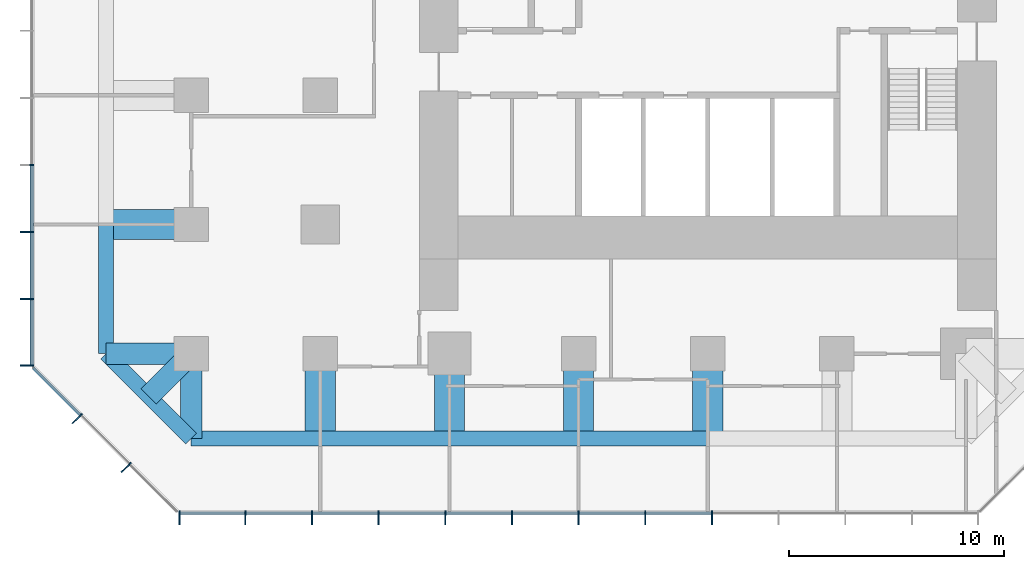
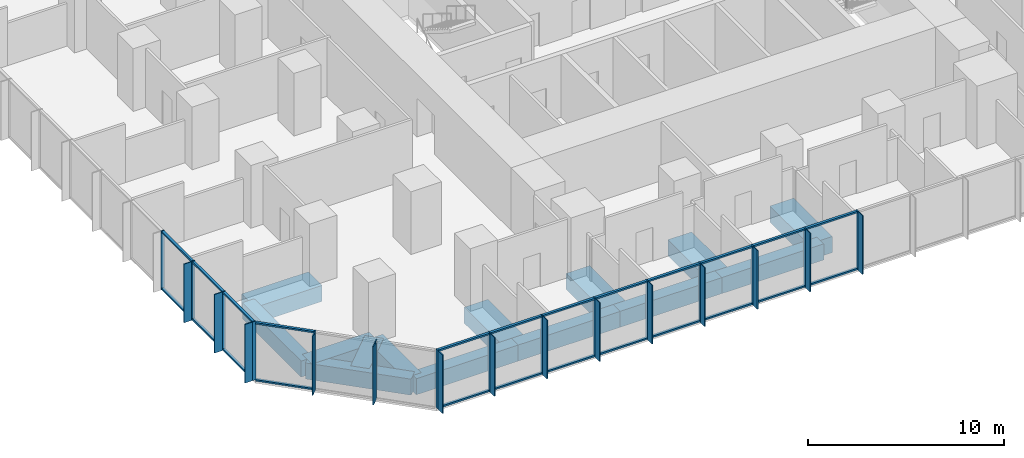
# One storey, part 2 of 13: 53 members, 14 beams, 3 elements without a shape of their own.
"""IFC4 building model written with IfcOpenShell, lengths in metres."""

from ifc_helpers import new_model, si_unit, direction, frame, origin, origin_2d, place, context, subcontext, project, spatial, rectangle, extrude, material, layer, layer_set, material_profile, profile_set, type_object, element, aggregate, save


model = new_model("IFC4")

# Units and contexts
model_context = context("Model", 3, precision=1e-05, world=origin(), true_north=direction((0.0, 1.0)))
body_context = subcontext(model_context, "Body", "Model", "MODEL_VIEW")
ifc_project = project(units=[si_unit("LENGTHUNIT", "METRE"), si_unit("AREAUNIT", "SQUARE_METRE"), si_unit("VOLUMEUNIT", "CUBIC_METRE"), si_unit("PLANEANGLEUNIT", "RADIAN"), si_unit("MASSUNIT", "GRAM", prefix="KILO")], contexts=[model_context])

# Site, building, storey
site_placement = place(None, origin())
site = spatial("IfcSite", under=ifc_project, at=site_placement, CompositionType="ELEMENT")
building_placement = place(site_placement, origin())
building = spatial("IfcBuilding", under=site, at=building_placement, Name="Highveld Stack Headquarters", CompositionType="ELEMENT")
storey_placement = place(building_placement, frame((0.0, 0.0, 136.699951171875)))
storey = spatial("IfcBuildingStorey", under=building, at=storey_placement, Name="L33", CompositionType="ELEMENT", Elevation=136.699951171875)

# Beams
ifc_material_1 = material(Name="Concrete C60/75", Category="concrete")
ifc_material_profile_1 = material_profile(ifc_material_1, rectangle(XDim=1.0, YDim=1.0, at=origin_2d()), Name="RC 1000x1000")
ifc_profile_set_1 = profile_set([ifc_material_profile_1], Name="Concrete C60/75")
beam_type_1 = type_object("IfcBeamType", Name="CANTILEVER RIB RC 1000x1000", PredefinedType="USERDEFINED", material=ifc_profile_set_1)
for number, where, z_axis, x_axis, name in (
    (1, (-18.0, -12.0, -0.75), (-1.0, 0.0, 0.0), (0.0, -1.0, 0.0), "Cantilever rib 3/C L33"),
    (2, (-18.0, -12.0, -0.75), (0.0, -1.0, 0.0), (1.0, 0.0, 0.0), "Cantilever rib 3/C L33"),
):
    element("IfcBeam", number, at=place(storey_placement, frame(where, z_axis=z_axis, x_axis=x_axis)), inside=storey, type_object=beam_type_1, Name=name, ObjectType="CANTILEVER RIB", PredefinedType="USERDEFINED", context=body_context, shape_type="SweptSolid", body=[
        extrude(rectangle(XDim=1.0, YDim=1.0, at=origin_2d()), origin(), (0.0, 0.0, 1.0), 3.949951171875),
    ])
beam_1_placement = place(storey_placement, frame((-18.0, -12.0, -0.75), z_axis=(-0.707106781187, -0.707106781187, 0.0), x_axis=(0.707106781187, -0.707106781187, 0.0)))
element("IfcBeam", 3, at=beam_1_placement, inside=storey, type_object=beam_type_1, Name="Cantilever rib 3/C L33", ObjectType="CANTILEVER RIB", PredefinedType="USERDEFINED", context=body_context, shape_type="SweptSolid", body=[
    extrude(rectangle(XDim=1.0, YDim=1.0, at=origin_2d()), origin(), (0.0, 0.0, 1.0), 2.793212890625),
])
ifc_material_2 = material(Name="Concrete C60/75", Category="concrete")
ifc_material_profile_2 = material_profile(ifc_material_2, rectangle(XDim=1.39990234375, YDim=1.0, at=origin_2d()), Name="RC 1400x1000")
ifc_profile_set_2 = profile_set([ifc_material_profile_2], Name="Concrete C60/75")
beam_type_2 = type_object("IfcBeamType", Name="CANTILEVER RIB RC 1400x1000", PredefinedType="USERDEFINED", material=ifc_profile_set_2)
for number, where, z_axis, x_axis, name in (
    (4, (-18.0, -6.0, -0.75), (-1.0, 0.0, 0.0), (0.0, -1.0, 0.0), "Cantilever rib 3/D L33"),
    (5, (-12.0, -12.0, -0.75), (0.0, -1.0, 0.0), (1.0, 0.0, 0.0), "Cantilever rib 4/C L33"),
    (6, (-6.0, -12.0, -0.75), (0.0, -1.0, 0.0), (1.0, 0.0, 0.0), "Cantilever rib 5/C L33"),
    (7, (0.0, -12.0, -0.75), (0.0, -1.0, 0.0), (1.0, 0.0, 0.0), "Cantilever rib 6/C L33"),
    (8, (6.0, -12.0, -0.75), (0.0, -1.0, 0.0), (1.0, 0.0, 0.0), "Cantilever rib 7/C L33"),
):
    element("IfcBeam", number, at=place(storey_placement, frame(where, z_axis=z_axis, x_axis=x_axis)), inside=storey, type_object=beam_type_2, Name=name, ObjectType="CANTILEVER RIB", PredefinedType="USERDEFINED", context=body_context, shape_type="SweptSolid", body=[
        extrude(rectangle(XDim=1.39990234375, YDim=1.0, at=origin_2d()), origin(), (0.0, 0.0, 1.0), 3.949951171875),
    ])

# Curtain wall, members
ifc_material_3 = material(Name="Aluminium bronze anodised", Category="aluminium")
ifc_layer_1 = layer(ifc_material_3, 0.199951171875)
ifc_layer_set_1 = layer_set([ifc_layer_1], Name="Aluminium bronze anodised")
curtain_wall_type_1 = type_object("IfcCurtainWallType", Name="CW1 TOWER UNITISED CURTAIN WALL", PredefinedType="NOTDEFINED", material=ifc_layer_set_1)
curtain_wall_1_placement = place(storey_placement, origin())
curtain_wall_1 = element("IfcCurtainWall", 9, at=curtain_wall_1_placement, inside=storey, type_object=curtain_wall_type_1, Name="Curtain wall CW1 L33 S", PredefinedType="NOTDEFINED")
ifc_material_4 = material(Name="Aluminium bronze anodised", Category="aluminium")
ifc_material_profile_3 = material_profile(ifc_material_4, rectangle(XDim=0.449951171875, YDim=0.06005859375, at=origin_2d()), Name="FIN 450x60")
ifc_profile_set_3 = profile_set([ifc_material_profile_3], Name="Aluminium bronze anodised")
member_type_1 = type_object("IfcMemberType", Name="CW1 BRONZE FIN 450x60", PredefinedType="USERDEFINED", material=ifc_profile_set_3)
member_1_placement = place(storey_placement, frame((-18.54736328125, -19.72509765625, 0.0), z_axis=(0.0, 0.0, 1.0), x_axis=(0.0, 1.0, 0.0)))
member_1 = element("IfcMember", 10, at=member_1_placement, type_object=member_type_1, Name="CW1 fin L33 1", ObjectType="FIN", PredefinedType="USERDEFINED", context=body_context, shape_type="SweptSolid", body=[
    extrude(rectangle(XDim=0.449951171875, YDim=0.06005859375, at=origin_2d()), origin(), (0.0, 0.0, 1.0), 3.650146484375),
])
member_2_placement = place(storey_placement, frame((-15.483154296875, -19.72509765625, 0.0), z_axis=(0.0, 0.0, 1.0), x_axis=(0.0, 1.0, 0.0)))
member_2 = element("IfcMember", 11, at=member_2_placement, type_object=member_type_1, Name="CW1 fin L33 2", ObjectType="FIN", PredefinedType="USERDEFINED", context=body_context, shape_type="SweptSolid", body=[
    extrude(rectangle(XDim=0.449951171875, YDim=0.06005859375, at=origin_2d()), origin(), (0.0, 0.0, 1.0), 3.650146484375),
])
member_3_placement = place(storey_placement, frame((-12.38671875, -19.72509765625, 0.0), z_axis=(0.0, 0.0, 1.0), x_axis=(0.0, 1.0, 0.0)))
member_3 = element("IfcMember", 12, at=member_3_placement, type_object=member_type_1, Name="CW1 fin L33 3", ObjectType="FIN", PredefinedType="USERDEFINED", context=body_context, shape_type="SweptSolid", body=[
    extrude(rectangle(XDim=0.449951171875, YDim=0.06005859375, at=origin_2d()), origin(), (0.0, 0.0, 1.0), 3.650146484375),
])
member_4_placement = place(storey_placement, frame((-9.289794921875, -19.72509765625, 0.0), z_axis=(0.0, 0.0, 1.0), x_axis=(0.0, 1.0, 0.0)))
member_4 = element("IfcMember", 13, at=member_4_placement, type_object=member_type_1, Name="CW1 fin L33 4", ObjectType="FIN", PredefinedType="USERDEFINED", context=body_context, shape_type="SweptSolid", body=[
    extrude(rectangle(XDim=0.449951171875, YDim=0.06005859375, at=origin_2d()), origin(), (0.0, 0.0, 1.0), 3.650146484375),
])
member_5_placement = place(storey_placement, frame((-6.193359375, -19.72509765625, 0.0), z_axis=(0.0, 0.0, 1.0), x_axis=(0.0, 1.0, 0.0)))
member_5 = element("IfcMember", 14, at=member_5_placement, type_object=member_type_1, Name="CW1 fin L33 5", ObjectType="FIN", PredefinedType="USERDEFINED", context=body_context, shape_type="SweptSolid", body=[
    extrude(rectangle(XDim=0.449951171875, YDim=0.06005859375, at=origin_2d()), origin(), (0.0, 0.0, 1.0), 3.650146484375),
])
member_6_placement = place(storey_placement, frame((-3.0966796875, -19.72509765625, 0.0), z_axis=(0.0, 0.0, 1.0), x_axis=(0.0, 1.0, 0.0)))
member_6 = element("IfcMember", 15, at=member_6_placement, type_object=member_type_1, Name="CW1 fin L33 6", ObjectType="FIN", PredefinedType="USERDEFINED", context=body_context, shape_type="SweptSolid", body=[
    extrude(rectangle(XDim=0.449951171875, YDim=0.06005859375, at=origin_2d()), origin(), (0.0, 0.0, 1.0), 3.650146484375),
])
member_7_placement = place(storey_placement, frame((0.0, -19.72509765625, 0.0), z_axis=(0.0, 0.0, 1.0), x_axis=(0.0, 1.0, 0.0)))
member_7 = element("IfcMember", 16, at=member_7_placement, type_object=member_type_1, Name="CW1 fin L33 7", ObjectType="FIN", PredefinedType="USERDEFINED", context=body_context, shape_type="SweptSolid", body=[
    extrude(rectangle(XDim=0.449951171875, YDim=0.06005859375, at=origin_2d()), origin(), (0.0, 0.0, 1.0), 3.650146484375),
])
member_8_placement = place(storey_placement, frame((3.0966796875, -19.72509765625, 0.0), z_axis=(0.0, 0.0, 1.0), x_axis=(0.0, 1.0, 0.0)))
member_8 = element("IfcMember", 17, at=member_8_placement, type_object=member_type_1, Name="CW1 fin L33 8", ObjectType="FIN", PredefinedType="USERDEFINED", context=body_context, shape_type="SweptSolid", body=[
    extrude(rectangle(XDim=0.449951171875, YDim=0.06005859375, at=origin_2d()), origin(), (0.0, 0.0, 1.0), 3.650146484375),
])
member_9_placement = place(storey_placement, frame((6.193359375, -19.72509765625, 0.0), z_axis=(0.0, 0.0, 1.0), x_axis=(0.0, 1.0, 0.0)))
member_9 = element("IfcMember", 18, at=member_9_placement, type_object=member_type_1, Name="CW1 fin L33 9", ObjectType="FIN", PredefinedType="USERDEFINED", context=body_context, shape_type="SweptSolid", body=[
    extrude(rectangle(XDim=0.449951171875, YDim=0.06005859375, at=origin_2d()), origin(), (0.0, 0.0, 1.0), 3.650146484375),
])

curtain_wall_2_placement = place(storey_placement, origin())
curtain_wall_2 = element("IfcCurtainWall", 19, at=curtain_wall_2_placement, inside=storey, type_object=curtain_wall_type_1, Name="Curtain wall CW1 L33 W", PredefinedType="NOTDEFINED")
member_10_placement = place(storey_placement, frame((-25.72509765625, -6.347900390625, 0.0), z_axis=(0.0, 0.0, 1.0), x_axis=(1.0, 0.0, 0.0)))
member_10 = element("IfcMember", 20, at=member_10_placement, type_object=member_type_1, Name="CW1 fin L33 9", ObjectType="FIN", PredefinedType="USERDEFINED", context=body_context, shape_type="SweptSolid", body=[
    extrude(rectangle(XDim=0.449951171875, YDim=0.06005859375, at=origin_2d()), origin(), (0.0, 0.0, 1.0), 3.650146484375),
])
member_11_placement = place(storey_placement, frame((-25.72509765625, -9.4638671875, 0.0), z_axis=(0.0, 0.0, 1.0), x_axis=(1.0, 0.0, 0.0)))
member_11 = element("IfcMember", 21, at=member_11_placement, type_object=member_type_1, Name="CW1 fin L33 10", ObjectType="FIN", PredefinedType="USERDEFINED", context=body_context, shape_type="SweptSolid", body=[
    extrude(rectangle(XDim=0.449951171875, YDim=0.06005859375, at=origin_2d()), origin(), (0.0, 0.0, 1.0), 3.650146484375),
])
member_12_placement = place(storey_placement, frame((-25.72509765625, -12.54736328125, 0.0), z_axis=(0.0, 0.0, 1.0), x_axis=(1.0, 0.0, 0.0)))
member_12 = element("IfcMember", 22, at=member_12_placement, type_object=member_type_1, Name="CW1 fin L33 11", ObjectType="FIN", PredefinedType="USERDEFINED", context=body_context, shape_type="SweptSolid", body=[
    extrude(rectangle(XDim=0.449951171875, YDim=0.06005859375, at=origin_2d()), origin(), (0.0, 0.0, 1.0), 3.650146484375),
])

# Member
ifc_material_5 = material(Name="Aluminium bronze anodised", Category="aluminium")
ifc_material_profile_4 = material_profile(ifc_material_5, rectangle(XDim=0.199951171875, YDim=0.06494140625, at=origin_2d()), Name="CW1 MULLION 65x200")
ifc_profile_set_4 = profile_set([ifc_material_profile_4], Name="Aluminium bronze anodised")
member_type_2 = type_object("IfcMemberType", Name="CW1 MULLION 65x200", PredefinedType="MULLION", material=ifc_profile_set_4)
member_13_placement = place(storey_placement, frame((-18.54736328125, -19.39990234375, 0.0), z_axis=(0.0, 0.0, 1.0), x_axis=(0.0, 1.0, 0.0)))
member_13 = element("IfcMember", 23, at=member_13_placement, type_object=member_type_2, Name="CW1 mullion L33 1", PredefinedType="MULLION", context=body_context, shape_type="SweptSolid", body=[
    extrude(rectangle(XDim=0.199951171875, YDim=0.06494140625, at=origin_2d()), origin(), (0.0, 0.0, 1.0), 3.650146484375),
])

member_14_placement = place(storey_placement, frame((-15.483154296875, -19.39990234375, 0.0), z_axis=(0.0, 0.0, 1.0), x_axis=(0.0, 1.0, 0.0)))
member_14 = element("IfcMember", 24, at=member_14_placement, type_object=member_type_2, Name="CW1 mullion L33 2", PredefinedType="MULLION", context=body_context, shape_type="SweptSolid", body=[
    extrude(rectangle(XDim=0.199951171875, YDim=0.06494140625, at=origin_2d()), origin(), (0.0, 0.0, 1.0), 3.650146484375),
])

member_15_placement = place(storey_placement, frame((-12.38671875, -19.39990234375, 0.0), z_axis=(0.0, 0.0, 1.0), x_axis=(0.0, 1.0, 0.0)))
member_15 = element("IfcMember", 25, at=member_15_placement, type_object=member_type_2, Name="CW1 mullion L33 3", PredefinedType="MULLION", context=body_context, shape_type="SweptSolid", body=[
    extrude(rectangle(XDim=0.199951171875, YDim=0.06494140625, at=origin_2d()), origin(), (0.0, 0.0, 1.0), 3.650146484375),
])

member_16_placement = place(storey_placement, frame((-9.289794921875, -19.39990234375, 0.0), z_axis=(0.0, 0.0, 1.0), x_axis=(0.0, 1.0, 0.0)))
member_16 = element("IfcMember", 26, at=member_16_placement, type_object=member_type_2, Name="CW1 mullion L33 4", PredefinedType="MULLION", context=body_context, shape_type="SweptSolid", body=[
    extrude(rectangle(XDim=0.199951171875, YDim=0.06494140625, at=origin_2d()), origin(), (0.0, 0.0, 1.0), 3.650146484375),
])

member_17_placement = place(storey_placement, frame((-6.193359375, -19.39990234375, 0.0), z_axis=(0.0, 0.0, 1.0), x_axis=(0.0, 1.0, 0.0)))
member_17 = element("IfcMember", 27, at=member_17_placement, type_object=member_type_2, Name="CW1 mullion L33 5", PredefinedType="MULLION", context=body_context, shape_type="SweptSolid", body=[
    extrude(rectangle(XDim=0.199951171875, YDim=0.06494140625, at=origin_2d()), origin(), (0.0, 0.0, 1.0), 3.650146484375),
])

member_18_placement = place(storey_placement, frame((-3.0966796875, -19.39990234375, 0.0), z_axis=(0.0, 0.0, 1.0), x_axis=(0.0, 1.0, 0.0)))
member_18 = element("IfcMember", 28, at=member_18_placement, type_object=member_type_2, Name="CW1 mullion L33 6", PredefinedType="MULLION", context=body_context, shape_type="SweptSolid", body=[
    extrude(rectangle(XDim=0.199951171875, YDim=0.06494140625, at=origin_2d()), origin(), (0.0, 0.0, 1.0), 3.650146484375),
])

member_19_placement = place(storey_placement, frame((0.0, -19.39990234375, 0.0), z_axis=(0.0, 0.0, 1.0), x_axis=(0.0, 1.0, 0.0)))
member_19 = element("IfcMember", 29, at=member_19_placement, type_object=member_type_2, Name="CW1 mullion L33 7", PredefinedType="MULLION", context=body_context, shape_type="SweptSolid", body=[
    extrude(rectangle(XDim=0.199951171875, YDim=0.06494140625, at=origin_2d()), origin(), (0.0, 0.0, 1.0), 3.650146484375),
])

member_20_placement = place(storey_placement, frame((3.0966796875, -19.39990234375, 0.0), z_axis=(0.0, 0.0, 1.0), x_axis=(0.0, 1.0, 0.0)))
member_20 = element("IfcMember", 30, at=member_20_placement, type_object=member_type_2, Name="CW1 mullion L33 8", PredefinedType="MULLION", context=body_context, shape_type="SweptSolid", body=[
    extrude(rectangle(XDim=0.199951171875, YDim=0.06494140625, at=origin_2d()), origin(), (0.0, 0.0, 1.0), 3.650146484375),
])

member_21_placement = place(storey_placement, frame((6.193359375, -19.39990234375, 0.0), z_axis=(0.0, 0.0, 1.0), x_axis=(0.0, 1.0, 0.0)))
member_21 = element("IfcMember", 31, at=member_21_placement, type_object=member_type_2, Name="CW1 mullion L33 9", PredefinedType="MULLION", context=body_context, shape_type="SweptSolid", body=[
    extrude(rectangle(XDim=0.199951171875, YDim=0.06494140625, at=origin_2d()), origin(), (0.0, 0.0, 1.0), 3.650146484375),
])

member_22_placement = place(storey_placement, frame((-25.39990234375, -3.23193359375, 0.0), z_axis=(0.0, 0.0, 1.0), x_axis=(1.0, 0.0, 0.0)))
member_22 = element("IfcMember", 32, at=member_22_placement, type_object=member_type_2, Name="CW1 mullion L33 8", PredefinedType="MULLION", context=body_context, shape_type="SweptSolid", body=[
    extrude(rectangle(XDim=0.199951171875, YDim=0.06494140625, at=origin_2d()), origin(), (0.0, 0.0, 1.0), 3.650146484375),
])

member_23_placement = place(storey_placement, frame((-25.39990234375, -6.347900390625, 0.0), z_axis=(0.0, 0.0, 1.0), x_axis=(1.0, 0.0, 0.0)))
member_23 = element("IfcMember", 33, at=member_23_placement, type_object=member_type_2, Name="CW1 mullion L33 9", PredefinedType="MULLION", context=body_context, shape_type="SweptSolid", body=[
    extrude(rectangle(XDim=0.199951171875, YDim=0.06494140625, at=origin_2d()), origin(), (0.0, 0.0, 1.0), 3.650146484375),
])

member_24_placement = place(storey_placement, frame((-25.39990234375, -9.4638671875, 0.0), z_axis=(0.0, 0.0, 1.0), x_axis=(1.0, 0.0, 0.0)))
member_24 = element("IfcMember", 34, at=member_24_placement, type_object=member_type_2, Name="CW1 mullion L33 10", PredefinedType="MULLION", context=body_context, shape_type="SweptSolid", body=[
    extrude(rectangle(XDim=0.199951171875, YDim=0.06494140625, at=origin_2d()), origin(), (0.0, 0.0, 1.0), 3.650146484375),
])

member_25_placement = place(storey_placement, frame((-25.39990234375, -12.54736328125, 0.0), z_axis=(0.0, 0.0, 1.0), x_axis=(1.0, 0.0, 0.0)))
member_25 = element("IfcMember", 35, at=member_25_placement, type_object=member_type_2, Name="CW1 mullion L33 11", PredefinedType="MULLION", context=body_context, shape_type="SweptSolid", body=[
    extrude(rectangle(XDim=0.199951171875, YDim=0.06494140625, at=origin_2d()), origin(), (0.0, 0.0, 1.0), 3.650146484375),
])

ifc_material_6 = material(Name="Aluminium bronze anodised", Category="aluminium")
ifc_material_profile_5 = material_profile(ifc_material_6, rectangle(XDim=0.14990234375, YDim=0.10009765625, at=origin_2d()), Name="CW1 TRANSOM 150x100")
ifc_profile_set_5 = profile_set([ifc_material_profile_5], Name="Aluminium bronze anodised")
member_type_3 = type_object("IfcMemberType", Name="CW1 STACK TRANSOM 150x100", PredefinedType="USERDEFINED", material=ifc_profile_set_5)
member_26_placement = place(storey_placement, frame((-18.514892578125, -19.39990234375, 0.050048828125), z_axis=(1.0, 0.0, 0.0), x_axis=(0.0, 1.0, 0.0)))
member_26 = element("IfcMember", 36, at=member_26_placement, type_object=member_type_3, Name="CW1 transom L33 1.1", ObjectType="TRANSOM", PredefinedType="USERDEFINED", context=body_context, shape_type="SweptSolid", body=[
    extrude(rectangle(XDim=0.14990234375, YDim=0.10009765625, at=origin_2d()), origin(), (0.0, 0.0, 1.0), 2.999267578125),
])

member_27_placement = place(storey_placement, frame((-18.514892578125, -19.39990234375, 3.60009765625), z_axis=(1.0, 0.0, 0.0), x_axis=(0.0, 1.0, 0.0)))
member_27 = element("IfcMember", 37, at=member_27_placement, type_object=member_type_3, Name="CW1 transom L33 1.2", ObjectType="TRANSOM", PredefinedType="USERDEFINED", context=body_context, shape_type="SweptSolid", body=[
    extrude(rectangle(XDim=0.14990234375, YDim=0.10009765625, at=origin_2d()), origin(), (0.0, 0.0, 1.0), 2.999267578125),
])

member_28_placement = place(storey_placement, frame((-15.45068359375, -19.39990234375, 0.050048828125), z_axis=(1.0, 0.0, 0.0), x_axis=(0.0, 1.0, 0.0)))
member_28 = element("IfcMember", 38, at=member_28_placement, type_object=member_type_3, Name="CW1 transom L33 2.1", ObjectType="TRANSOM", PredefinedType="USERDEFINED", context=body_context, shape_type="SweptSolid", body=[
    extrude(rectangle(XDim=0.14990234375, YDim=0.10009765625, at=origin_2d()), origin(), (0.0, 0.0, 1.0), 3.031494140625),
])

member_29_placement = place(storey_placement, frame((-15.45068359375, -19.39990234375, 3.60009765625), z_axis=(1.0, 0.0, 0.0), x_axis=(0.0, 1.0, 0.0)))
member_29 = element("IfcMember", 39, at=member_29_placement, type_object=member_type_3, Name="CW1 transom L33 2.2", ObjectType="TRANSOM", PredefinedType="USERDEFINED", context=body_context, shape_type="SweptSolid", body=[
    extrude(rectangle(XDim=0.14990234375, YDim=0.10009765625, at=origin_2d()), origin(), (0.0, 0.0, 1.0), 3.031494140625),
])

member_30_placement = place(storey_placement, frame((-12.35400390625, -19.39990234375, 0.050048828125), z_axis=(1.0, 0.0, 0.0), x_axis=(0.0, 1.0, 0.0)))
member_30 = element("IfcMember", 40, at=member_30_placement, type_object=member_type_3, Name="CW1 transom L33 3.1", ObjectType="TRANSOM", PredefinedType="USERDEFINED", context=body_context, shape_type="SweptSolid", body=[
    extrude(rectangle(XDim=0.14990234375, YDim=0.10009765625, at=origin_2d()), origin(), (0.0, 0.0, 1.0), 3.031494140625),
])

member_31_placement = place(storey_placement, frame((-12.35400390625, -19.39990234375, 3.60009765625), z_axis=(1.0, 0.0, 0.0), x_axis=(0.0, 1.0, 0.0)))
member_31 = element("IfcMember", 41, at=member_31_placement, type_object=member_type_3, Name="CW1 transom L33 3.2", ObjectType="TRANSOM", PredefinedType="USERDEFINED", context=body_context, shape_type="SweptSolid", body=[
    extrude(rectangle(XDim=0.14990234375, YDim=0.10009765625, at=origin_2d()), origin(), (0.0, 0.0, 1.0), 3.031494140625),
])

member_32_placement = place(storey_placement, frame((-9.25732421875, -19.39990234375, 0.050048828125), z_axis=(1.0, 0.0, 0.0), x_axis=(0.0, 1.0, 0.0)))
member_32 = element("IfcMember", 42, at=member_32_placement, type_object=member_type_3, Name="CW1 transom L33 4.1", ObjectType="TRANSOM", PredefinedType="USERDEFINED", context=body_context, shape_type="SweptSolid", body=[
    extrude(rectangle(XDim=0.14990234375, YDim=0.10009765625, at=origin_2d()), origin(), (0.0, 0.0, 1.0), 3.031494140625),
])

member_33_placement = place(storey_placement, frame((-9.25732421875, -19.39990234375, 3.60009765625), z_axis=(1.0, 0.0, 0.0), x_axis=(0.0, 1.0, 0.0)))
member_33 = element("IfcMember", 43, at=member_33_placement, type_object=member_type_3, Name="CW1 transom L33 4.2", ObjectType="TRANSOM", PredefinedType="USERDEFINED", context=body_context, shape_type="SweptSolid", body=[
    extrude(rectangle(XDim=0.14990234375, YDim=0.10009765625, at=origin_2d()), origin(), (0.0, 0.0, 1.0), 3.031494140625),
])

member_34_placement = place(storey_placement, frame((-6.160888671875, -19.39990234375, 0.050048828125), z_axis=(1.0, 0.0, 0.0), x_axis=(0.0, 1.0, 0.0)))
member_34 = element("IfcMember", 44, at=member_34_placement, type_object=member_type_3, Name="CW1 transom L33 5.1", ObjectType="TRANSOM", PredefinedType="USERDEFINED", context=body_context, shape_type="SweptSolid", body=[
    extrude(rectangle(XDim=0.14990234375, YDim=0.10009765625, at=origin_2d()), origin(), (0.0, 0.0, 1.0), 3.03173828125),
])

member_35_placement = place(storey_placement, frame((-6.160888671875, -19.39990234375, 3.60009765625), z_axis=(1.0, 0.0, 0.0), x_axis=(0.0, 1.0, 0.0)))
member_35 = element("IfcMember", 45, at=member_35_placement, type_object=member_type_3, Name="CW1 transom L33 5.2", ObjectType="TRANSOM", PredefinedType="USERDEFINED", context=body_context, shape_type="SweptSolid", body=[
    extrude(rectangle(XDim=0.14990234375, YDim=0.10009765625, at=origin_2d()), origin(), (0.0, 0.0, 1.0), 3.03173828125),
])

member_36_placement = place(storey_placement, frame((-3.064208984375, -19.39990234375, 0.050048828125), z_axis=(1.0, 0.0, 0.0), x_axis=(0.0, 1.0, 0.0)))
member_36 = element("IfcMember", 46, at=member_36_placement, type_object=member_type_3, Name="CW1 transom L33 6.1", ObjectType="TRANSOM", PredefinedType="USERDEFINED", context=body_context, shape_type="SweptSolid", body=[
    extrude(rectangle(XDim=0.14990234375, YDim=0.10009765625, at=origin_2d()), origin(), (0.0, 0.0, 1.0), 3.03173828125),
])

member_37_placement = place(storey_placement, frame((-3.064208984375, -19.39990234375, 3.60009765625), z_axis=(1.0, 0.0, 0.0), x_axis=(0.0, 1.0, 0.0)))
member_37 = element("IfcMember", 47, at=member_37_placement, type_object=member_type_3, Name="CW1 transom L33 6.2", ObjectType="TRANSOM", PredefinedType="USERDEFINED", context=body_context, shape_type="SweptSolid", body=[
    extrude(rectangle(XDim=0.14990234375, YDim=0.10009765625, at=origin_2d()), origin(), (0.0, 0.0, 1.0), 3.03173828125),
])

member_38_placement = place(storey_placement, frame((0.032470703125, -19.39990234375, 0.050048828125), z_axis=(1.0, 0.0, 0.0), x_axis=(0.0, 1.0, 0.0)))
member_38 = element("IfcMember", 48, at=member_38_placement, type_object=member_type_3, Name="CW1 transom L33 7.1", ObjectType="TRANSOM", PredefinedType="USERDEFINED", context=body_context, shape_type="SweptSolid", body=[
    extrude(rectangle(XDim=0.14990234375, YDim=0.10009765625, at=origin_2d()), origin(), (0.0, 0.0, 1.0), 3.03173828125),
])

member_39_placement = place(storey_placement, frame((0.032470703125, -19.39990234375, 3.60009765625), z_axis=(1.0, 0.0, 0.0), x_axis=(0.0, 1.0, 0.0)))
member_39 = element("IfcMember", 49, at=member_39_placement, type_object=member_type_3, Name="CW1 transom L33 7.2", ObjectType="TRANSOM", PredefinedType="USERDEFINED", context=body_context, shape_type="SweptSolid", body=[
    extrude(rectangle(XDim=0.14990234375, YDim=0.10009765625, at=origin_2d()), origin(), (0.0, 0.0, 1.0), 3.03173828125),
])

member_40_placement = place(storey_placement, frame((3.129150390625, -19.39990234375, 0.050048828125), z_axis=(1.0, 0.0, 0.0), x_axis=(0.0, 1.0, 0.0)))
member_40 = element("IfcMember", 50, at=member_40_placement, type_object=member_type_3, Name="CW1 transom L33 8.1", ObjectType="TRANSOM", PredefinedType="USERDEFINED", context=body_context, shape_type="SweptSolid", body=[
    extrude(rectangle(XDim=0.14990234375, YDim=0.10009765625, at=origin_2d()), origin(), (0.0, 0.0, 1.0), 3.03173828125),
])

member_41_placement = place(storey_placement, frame((3.129150390625, -19.39990234375, 3.60009765625), z_axis=(1.0, 0.0, 0.0), x_axis=(0.0, 1.0, 0.0)))
member_41 = element("IfcMember", 51, at=member_41_placement, type_object=member_type_3, Name="CW1 transom L33 8.2", ObjectType="TRANSOM", PredefinedType="USERDEFINED", context=body_context, shape_type="SweptSolid", body=[
    extrude(rectangle(XDim=0.14990234375, YDim=0.10009765625, at=origin_2d()), origin(), (0.0, 0.0, 1.0), 3.03173828125),
])

aggregate(curtain_wall_1, [member_13, member_1, member_14, member_2, member_15, member_3, member_16, member_4, member_17, member_5, member_18, member_6, member_19, member_7, member_20, member_8, member_21, member_9, member_26, member_27, member_28, member_29, member_30, member_31, member_32, member_33, member_34, member_35, member_36, member_37, member_38, member_39, member_40, member_41])

member_42_placement = place(storey_placement, frame((-25.39990234375, -3.264404296875, 0.050048828125), z_axis=(0.0, -1.0, 0.0), x_axis=(1.0, 0.0, 0.0)))
member_42 = element("IfcMember", 52, at=member_42_placement, type_object=member_type_3, Name="CW1 transom L33 8.1", ObjectType="TRANSOM", PredefinedType="USERDEFINED", context=body_context, shape_type="SweptSolid", body=[
    extrude(rectangle(XDim=0.14990234375, YDim=0.10009765625, at=origin_2d()), origin(), (0.0, 0.0, 1.0), 3.051025390625),
])

member_43_placement = place(storey_placement, frame((-25.39990234375, -3.264404296875, 3.60009765625), z_axis=(0.0, -1.0, 0.0), x_axis=(1.0, 0.0, 0.0)))
member_43 = element("IfcMember", 53, at=member_43_placement, type_object=member_type_3, Name="CW1 transom L33 8.2", ObjectType="TRANSOM", PredefinedType="USERDEFINED", context=body_context, shape_type="SweptSolid", body=[
    extrude(rectangle(XDim=0.14990234375, YDim=0.10009765625, at=origin_2d()), origin(), (0.0, 0.0, 1.0), 3.051025390625),
])

member_44_placement = place(storey_placement, frame((-25.39990234375, -6.38037109375, 0.050048828125), z_axis=(0.0, -1.0, 0.0), x_axis=(1.0, 0.0, 0.0)))
member_44 = element("IfcMember", 54, at=member_44_placement, type_object=member_type_3, Name="CW1 transom L33 9.1", ObjectType="TRANSOM", PredefinedType="USERDEFINED", context=body_context, shape_type="SweptSolid", body=[
    extrude(rectangle(XDim=0.14990234375, YDim=0.10009765625, at=origin_2d()), origin(), (0.0, 0.0, 1.0), 3.051025390625),
])

member_45_placement = place(storey_placement, frame((-25.39990234375, -6.38037109375, 3.60009765625), z_axis=(0.0, -1.0, 0.0), x_axis=(1.0, 0.0, 0.0)))
member_45 = element("IfcMember", 55, at=member_45_placement, type_object=member_type_3, Name="CW1 transom L33 9.2", ObjectType="TRANSOM", PredefinedType="USERDEFINED", context=body_context, shape_type="SweptSolid", body=[
    extrude(rectangle(XDim=0.14990234375, YDim=0.10009765625, at=origin_2d()), origin(), (0.0, 0.0, 1.0), 3.051025390625),
])

member_46_placement = place(storey_placement, frame((-25.39990234375, -9.496337890625, 0.050048828125), z_axis=(0.0, -1.0, 0.0), x_axis=(1.0, 0.0, 0.0)))
member_46 = element("IfcMember", 56, at=member_46_placement, type_object=member_type_3, Name="CW1 transom L33 10.1", ObjectType="TRANSOM", PredefinedType="USERDEFINED", context=body_context, shape_type="SweptSolid", body=[
    extrude(rectangle(XDim=0.14990234375, YDim=0.10009765625, at=origin_2d()), origin(), (0.0, 0.0, 1.0), 3.0185546875),
])

member_47_placement = place(storey_placement, frame((-25.39990234375, -9.496337890625, 3.60009765625), z_axis=(0.0, -1.0, 0.0), x_axis=(1.0, 0.0, 0.0)))
member_47 = element("IfcMember", 57, at=member_47_placement, type_object=member_type_3, Name="CW1 transom L33 10.2", ObjectType="TRANSOM", PredefinedType="USERDEFINED", context=body_context, shape_type="SweptSolid", body=[
    extrude(rectangle(XDim=0.14990234375, YDim=0.10009765625, at=origin_2d()), origin(), (0.0, 0.0, 1.0), 3.0185546875),
])

aggregate(curtain_wall_2, [member_22, member_23, member_10, member_24, member_11, member_25, member_12, member_42, member_43, member_44, member_45, member_46, member_47])

# Curtain wall, members
ifc_material_7 = material(Name="Aluminium bronze anodised", Category="aluminium")
ifc_layer_2 = layer(ifc_material_7, 0.199951171875)
ifc_layer_set_2 = layer_set([ifc_layer_2], Name="Aluminium bronze anodised")
curtain_wall_type_2 = type_object("IfcCurtainWallType", Name="CW2 TOWER CHAMFER UNITISED CURTAIN WALL", PredefinedType="NOTDEFINED", material=ifc_layer_set_2)
curtain_wall_3_placement = place(storey_placement, origin())
curtain_wall_3 = element("IfcCurtainWall", 58, at=curtain_wall_3_placement, inside=storey, type_object=curtain_wall_type_2, Name="Curtain wall CW2 L33 SW", PredefinedType="NOTDEFINED")
ifc_material_8 = material(Name="Aluminium bronze anodised", Category="aluminium")
ifc_material_profile_6 = material_profile(ifc_material_8, rectangle(XDim=0.449951171875, YDim=0.06005859375, at=origin_2d()), Name="FIN 450x60")
ifc_profile_set_6 = profile_set([ifc_material_profile_6], Name="Aluminium bronze anodised")
member_type_4 = type_object("IfcMemberType", Name="CW2 BRONZE FIN 450x60", PredefinedType="USERDEFINED", material=ifc_profile_set_6)
member_48_placement = place(storey_placement, frame((-23.3564453125, -15.0830078125, 0.0), z_axis=(0.0, 0.0, 1.0), x_axis=(0.707106781187, 0.707106781187, 0.0)))
member_48 = element("IfcMember", 59, at=member_48_placement, type_object=member_type_4, Name="CW2 fin L33 1", ObjectType="FIN", PredefinedType="USERDEFINED", context=body_context, shape_type="SweptSolid", body=[
    extrude(rectangle(XDim=0.449951171875, YDim=0.06005859375, at=origin_2d()), origin(), (0.0, 0.0, 1.0), 3.650146484375),
])
member_49_placement = place(storey_placement, frame((-21.0830078125, -17.3564453125, 0.0), z_axis=(0.0, 0.0, 1.0), x_axis=(0.707106781187, 0.707106781187, 0.0)))
member_49 = element("IfcMember", 60, at=member_49_placement, type_object=member_type_4, Name="CW2 fin L33 2", ObjectType="FIN", PredefinedType="USERDEFINED", context=body_context, shape_type="SweptSolid", body=[
    extrude(rectangle(XDim=0.449951171875, YDim=0.06005859375, at=origin_2d()), origin(), (0.0, 0.0, 1.0), 3.650146484375),
])
ifc_material_9 = material(Name="Aluminium bronze anodised", Category="aluminium")
ifc_material_profile_7 = material_profile(ifc_material_9, rectangle(XDim=0.199951171875, YDim=0.06494140625, at=origin_2d()), Name="CW2 MULLION 65x200")
ifc_profile_set_7 = profile_set([ifc_material_profile_7], Name="Aluminium bronze anodised")
member_type_5 = type_object("IfcMemberType", Name="CW2 MULLION 65x200", PredefinedType="MULLION", material=ifc_profile_set_7)
member_50_placement = place(storey_placement, frame((-23.126708984375, -14.853271484375, 0.0), z_axis=(0.0, 0.0, 1.0), x_axis=(0.707106781187, 0.707106781187, 0.0)))
member_50 = element("IfcMember", 61, at=member_50_placement, type_object=member_type_5, Name="CW2 mullion L33 1", PredefinedType="MULLION", context=body_context, shape_type="SweptSolid", body=[
    extrude(rectangle(XDim=0.199951171875, YDim=0.06494140625, at=origin_2d()), origin(), (0.0, 0.0, 1.0), 3.650146484375),
])
member_51_placement = place(storey_placement, frame((-20.853271484375, -17.126708984375, 0.0), z_axis=(0.0, 0.0, 1.0), x_axis=(0.707106781187, 0.707106781187, 0.0)))
member_51 = element("IfcMember", 62, at=member_51_placement, type_object=member_type_5, Name="CW2 mullion L33 2", PredefinedType="MULLION", context=body_context, shape_type="SweptSolid", body=[
    extrude(rectangle(XDim=0.199951171875, YDim=0.06494140625, at=origin_2d()), origin(), (0.0, 0.0, 1.0), 3.650146484375),
])
ifc_material_10 = material(Name="Aluminium bronze anodised", Category="aluminium")
ifc_material_profile_8 = material_profile(ifc_material_10, rectangle(XDim=0.14990234375, YDim=0.10009765625, at=origin_2d()), Name="CW2 TRANSOM 150x100")
ifc_profile_set_8 = profile_set([ifc_material_profile_8], Name="Aluminium bronze anodised")
member_type_6 = type_object("IfcMemberType", Name="CW2 STACK TRANSOM 150x100", PredefinedType="USERDEFINED", material=ifc_profile_set_8)
member_52_placement = place(storey_placement, frame((-25.329345703125, -12.650634765625, 0.050048828125), z_axis=(0.707106781187, -0.707106781187, 0.0), x_axis=(0.707106781187, 0.707106781187, 0.0)))
member_52 = element("IfcMember", 63, at=member_52_placement, type_object=member_type_6, Name="CW2 transom L33 1.1", ObjectType="TRANSOM", PredefinedType="USERDEFINED", context=body_context, shape_type="SweptSolid", body=[
    extrude(rectangle(XDim=0.14990234375, YDim=0.10009765625, at=origin_2d()), origin(), (0.0, 0.0, 1.0), 3.08251953125),
])
member_53_placement = place(storey_placement, frame((-25.329345703125, -12.650634765625, 3.60009765625), z_axis=(0.707106781187, -0.707106781187, 0.0), x_axis=(0.707106781187, 0.707106781187, 0.0)))
member_53 = element("IfcMember", 64, at=member_53_placement, type_object=member_type_6, Name="CW2 transom L33 1.2", ObjectType="TRANSOM", PredefinedType="USERDEFINED", context=body_context, shape_type="SweptSolid", body=[
    extrude(rectangle(XDim=0.14990234375, YDim=0.10009765625, at=origin_2d()), origin(), (0.0, 0.0, 1.0), 3.08251953125),
])
aggregate(curtain_wall_3, [member_50, member_48, member_51, member_49, member_52, member_53])

# Beams
ifc_material_11 = material(Name="Concrete C60/75", Category="concrete")
ifc_material_profile_9 = material_profile(ifc_material_11, rectangle(XDim=0.699951171875, YDim=1.0, at=origin_2d()), Name="RC 700x1000")
ifc_profile_set_9 = profile_set([ifc_material_profile_9], Name="Concrete C60/75")
beam_type_3 = type_object("IfcBeamType", Name="RIB TIP BEAM RC 700x1000", PredefinedType="SPANDREL", material=ifc_profile_set_9)
for number, where, z_axis, x_axis, name in (
    (65, (-21.949951171875, -12.0, -0.75), (0.0, 1.0, 0.0), (-1.0, 0.0, 0.0), "Rib tip beam 3/C to 3/D L33"),
    (66, (-18.0, -15.949951171875, -0.75), (1.0, 0.0, 0.0), (0.0, 1.0, 0.0), "Rib tip beam 3/C to 4/C L33"),
    (67, (-12.0, -15.949951171875, -0.75), (1.0, 0.0, 0.0), (0.0, 1.0, 0.0), "Rib tip beam 4/C to 5/C L33"),
    (68, (-6.0, -15.949951171875, -0.75), (1.0, 0.0, 0.0), (0.0, 1.0, 0.0), "Rib tip beam 5/C to 6/C L33"),
    (69, (0.0, -15.949951171875, -0.75), (1.0, 0.0, 0.0), (0.0, 1.0, 0.0), "Rib tip beam 6/C to 7/C L33"),
):
    element("IfcBeam", number, at=place(storey_placement, frame(where, z_axis=z_axis, x_axis=x_axis)), inside=storey, type_object=beam_type_3, Name=name, PredefinedType="SPANDREL", context=body_context, shape_type="SweptSolid", body=[
        extrude(rectangle(XDim=0.699951171875, YDim=1.0, at=origin_2d()), origin(), (0.0, 0.0, 1.0), 6.0),
    ])
beam_2_placement = place(storey_placement, frame((-21.949951171875, -12.0, -0.75), z_axis=(0.707106781187, -0.707106781187, 0.0), x_axis=(0.707106781187, 0.707106781187, 0.0)))
element("IfcBeam", 70, at=beam_2_placement, inside=storey, type_object=beam_type_3, Name="Rib tip beam 3/C corner L33", PredefinedType="SPANDREL", context=body_context, shape_type="SweptSolid", body=[
    extrude(rectangle(XDim=0.699951171875, YDim=1.0, at=origin_2d()), origin(), (0.0, 0.0, 1.0), 5.586181640625),
])

save(model, "model.ifc")
